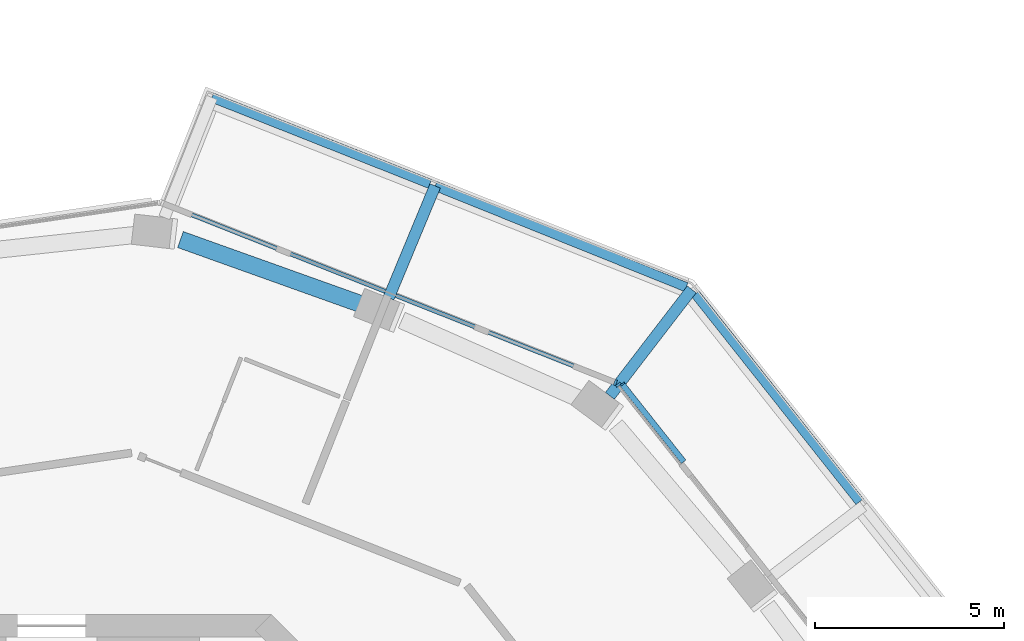
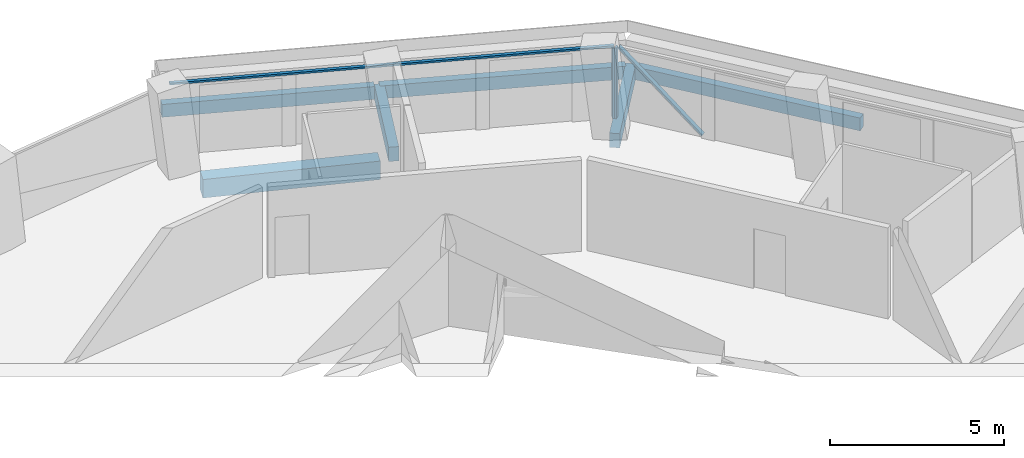
# One storey, part 9 of 21: 6 beams, 4 members, 2 elements without a shape of their own.
"""IFC4 building model written with IfcOpenShell, lengths in metres."""

from ifc_helpers import new_model, si_unit, direction, frame, origin, origin_2d, place, context, subcontext, project, spatial, rectangle, extrude, material, layer, layer_set, material_profile, profile_set, type_object, element, aggregate, save


model = new_model("IFC4")

# Units and contexts
model_context = context("Model", 3, precision=1e-05, world=origin(), true_north=direction((0.0, 1.0)))
body_context = subcontext(model_context, "Body", "Model", "MODEL_VIEW")
ifc_project = project(units=[si_unit("LENGTHUNIT", "METRE"), si_unit("AREAUNIT", "SQUARE_METRE"), si_unit("VOLUMEUNIT", "CUBIC_METRE"), si_unit("PLANEANGLEUNIT", "RADIAN"), si_unit("MASSUNIT", "GRAM", prefix="KILO")], contexts=[model_context])

# Site, building, storey
site_placement = place(None, origin())
site = spatial("IfcSite", under=ifc_project, at=site_placement, CompositionType="ELEMENT")
building_placement = place(site_placement, origin())
building = spatial("IfcBuilding", under=site, at=building_placement, Name="Verdalira Terraces Hotel", CompositionType="ELEMENT")
storey_placement = place(building_placement, frame((0.0, 0.0, 190.5)))
storey = spatial("IfcBuildingStorey", under=building, at=storey_placement, Name="L46", CompositionType="ELEMENT", Elevation=190.5)

# Beams
ifc_material_1 = material(Name="Concrete C40", Category="concrete")
ifc_material_profile_1 = material_profile(ifc_material_1, rectangle(XDim=0.300049, YDim=0.5, at=origin_2d()), Name="RC 300X500")
ifc_profile_set_1 = profile_set([ifc_material_profile_1], Name="Concrete C40")
beam_type_1 = type_object("IfcBeamType", Name="Balcony cantilever beam RC 300X500 C40", PredefinedType="BEAM", material=ifc_profile_set_1)
beam_1_placement = place(storey_placement, frame((14.733887, 19.767578, -0.560059), z_axis=(0.609587603, 0.792718711, 0.0), x_axis=(-0.792718711, 0.609587603, 0.0)))
element("IfcBeam", 1, at=beam_1_placement, inside=storey, type_object=beam_type_1, Name="Balcony cantilever beam R39-3", PredefinedType="BEAM", context=body_context, shape_type="SweptSolid", body=[
    extrude(rectangle(XDim=0.300049, YDim=0.5, at=origin_2d()), origin(), (0.0, 0.0, 1.0), 3.544922),
])
beam_2_placement = place(storey_placement, frame((8.895264, 22.353271, -0.560059), z_axis=(0.383667376, 0.923471356, 0.0), x_axis=(-0.923471356, 0.383667376, 0.0)))
element("IfcBeam", 2, at=beam_2_placement, inside=storey, type_object=beam_type_1, Name="Balcony cantilever beam R39-4", PredefinedType="BEAM", context=body_context, shape_type="SweptSolid", body=[
    extrude(rectangle(XDim=0.300049, YDim=0.5, at=origin_2d()), origin(), (0.0, 0.0, 1.0), 3.200684),
])
ifc_material_2 = material(Name="Concrete C40", Category="concrete")
ifc_material_profile_2 = material_profile(ifc_material_2, rectangle(XDim=0.25, YDim=0.449951, at=origin_2d()), Name="RC 250X450")
ifc_profile_set_2 = profile_set([ifc_material_profile_2], Name="Concrete C40")
beam_type_2 = type_object("IfcBeamType", Name="Balcony edge beam RC 250X450 C40", PredefinedType="BEAM", material=ifc_profile_set_2)
beam_3_placement = place(storey_placement, frame((21.328369, 16.974365, -0.534912), z_axis=(-0.620507913, 0.784200185, 0.0), x_axis=(-0.784200185, -0.620507913, 0.0)))
element("IfcBeam", 3, at=beam_3_placement, inside=storey, type_object=beam_type_2, Name="Balcony edge beam R39-2", PredefinedType="BEAM", context=body_context, shape_type="SweptSolid", body=[
    extrude(rectangle(XDim=0.25, YDim=0.449951, at=origin_2d()), origin(), (0.0, 0.0, 1.0), 6.990479),
])
beam_4_placement = place(storey_placement, frame((16.750244, 22.635742, -0.534912), z_axis=(-0.927384124, 0.374110527, 0.0), x_axis=(-0.374110527, -0.927384124, 0.0)))
element("IfcBeam", 4, at=beam_4_placement, inside=storey, type_object=beam_type_2, Name="Balcony edge beam R39-3", PredefinedType="BEAM", context=body_context, shape_type="SweptSolid", body=[
    extrude(rectangle(XDim=0.25, YDim=0.449951, at=origin_2d()), origin(), (0.0, 0.0, 1.0), 7.145752),
])
beam_5_placement = place(storey_placement, frame((9.983643, 25.364258, -0.534912), z_axis=(-0.929774263, 0.368130167, 0.0), x_axis=(-0.368130167, -0.929774263, 0.0)))
element("IfcBeam", 5, at=beam_5_placement, inside=storey, type_object=beam_type_2, Name="Balcony edge beam R39-4", PredefinedType="BEAM", context=body_context, shape_type="SweptSolid", body=[
    extrude(rectangle(XDim=0.25, YDim=0.449951, at=origin_2d()), origin(), (0.0, 0.0, 1.0), 6.188232),
])

# Curtain wall, member
ifc_material_3 = material(Name="Clear glass", Category="glass")
ifc_layer = layer(ifc_material_3, 0.14990234375)
ifc_layer_set = layer_set([ifc_layer], Name="CW1 curtain wall")
curtain_wall_type = type_object("IfcCurtainWallType", Name="CW1 curtain wall", PredefinedType="NOTDEFINED", material=ifc_layer_set)
curtain_wall_1_placement = place(storey_placement, origin())
curtain_wall_1 = element("IfcCurtainWall", 6, at=curtain_wall_1_placement, inside=storey, type_object=curtain_wall_type, Name="CW1 curtain wall L46 edge 39", PredefinedType="NOTDEFINED")
ifc_material_4 = material(Name="Terracotta frame", Category="masonry")
ifc_material_profile_3 = material_profile(ifc_material_4, rectangle(XDim=0.060059, YDim=0.149902, at=origin_2d()), Name="MU 60x150")
ifc_profile_set_3 = profile_set([ifc_material_profile_3], Name="Terracotta frame")
member_type_1 = type_object("IfcMemberType", Name="CW1 mullion 60x150", PredefinedType="MULLION", material=ifc_profile_set_3)
member_1_placement = place(storey_placement, frame((14.958496, 20.060303, 0.0), z_axis=(0.0, 0.0, 1.0), x_axis=(-0.62114778, 0.783693457, 0.0)))
member_1 = element("IfcMember", 7, at=member_1_placement, type_object=member_type_1, Name="CW1 mullion", PredefinedType="MULLION", context=body_context, shape_type="SweptSolid", body=[
    extrude(rectangle(XDim=0.060059, YDim=0.149902, at=origin_2d()), origin(), (0.0, 0.0, 1.0), 2.475098),
])

# Curtain wall, members
curtain_wall_2_placement = place(storey_placement, origin())
curtain_wall_2 = element("IfcCurtainWall", 8, at=curtain_wall_2_placement, inside=storey, type_object=curtain_wall_type, Name="CW1 curtain wall L46 edge 40", PredefinedType="NOTDEFINED")
member_2_placement = place(storey_placement, frame((14.880859, 20.118164, 0.0), z_axis=(0.0, 0.0, 1.0), x_axis=(-0.929776486, 0.368124553, 0.0)))
member_2 = element("IfcMember", 9, at=member_2_placement, type_object=member_type_1, Name="CW1 mullion", PredefinedType="MULLION", context=body_context, shape_type="SweptSolid", body=[
    extrude(rectangle(XDim=0.060059, YDim=0.149902, at=origin_2d()), origin(), (0.0, 0.0, 1.0), 2.475098),
])
ifc_material_5 = material(Name="Terracotta frame", Category="masonry")
ifc_material_profile_4 = material_profile(ifc_material_5, rectangle(XDim=0.110107, YDim=0.064941, at=origin_2d()), Name="TR 65x110")
ifc_profile_set_4 = profile_set([ifc_material_profile_4], Name="Terracotta frame")
member_type_2 = type_object("IfcMemberType", Name="CW1 transom 65x110", PredefinedType="USERDEFINED", material=ifc_profile_set_4)
member_3_placement = place(storey_placement, frame((14.908691, 20.107178, 2.507568), z_axis=(-0.929781956, 0.368110735, 0.0), x_axis=(-0.368110735, -0.929781956, 0.0)))
member_3 = element("IfcMember", 10, at=member_3_placement, type_object=member_type_2, Name="CW1 transom", ObjectType="TRANSOM", PredefinedType="USERDEFINED", context=body_context, shape_type="SweptSolid", body=[
    extrude(rectangle(XDim=0.110107, YDim=0.064941, at=origin_2d()), origin(), (0.0, 0.0, 1.0), 12.919678),
])
aggregate(curtain_wall_2, [member_2, member_3])

# Member
ifc_material_6 = material(Name="Terracotta frame", Category="masonry")
ifc_material_profile_5 = material_profile(ifc_material_6, rectangle(XDim=0.149902, YDim=0.060059, at=origin_2d()), Name="GB 60x150")
ifc_profile_set_5 = profile_set([ifc_material_profile_5], Name="Terracotta frame")
member_type_3 = type_object("IfcMemberType", Name="Diagonal glazing bar 60x150", PredefinedType="USERDEFINED", material=ifc_profile_set_5)
member_4_placement = place(storey_placement, frame((16.67041, 18.043701, 0.023193), z_axis=(-0.453034172, 0.571605739, 0.684124929), x_axis=(-0.783703438, -0.621135188, 0.0)))
member_4 = element("IfcMember", 11, at=member_4_placement, type_object=member_type_3, Name="Diagonal glazing bar", ObjectType="GLAZING BAR", PredefinedType="USERDEFINED", context=body_context, shape_type="SweptSolid", body=[
    extrude(rectangle(XDim=0.149902, YDim=0.060059, at=origin_2d()), origin(), (0.0, 0.0, 1.0), 3.549805),
])

aggregate(curtain_wall_1, [member_1, member_4])

# Beam
ifc_material_7 = material(Name="Concrete C50", Category="concrete")
ifc_material_profile_6 = material_profile(ifc_material_7, rectangle(XDim=0.449951, YDim=0.649902, at=origin_2d()), Name="RC 450X650")
ifc_profile_set_6 = profile_set([ifc_material_profile_6], Name="Concrete C50")
beam_type_3 = type_object("IfcBeamType", Name="Spandrel beam RC 450X650 C50", PredefinedType="SPANDREL", material=ifc_profile_set_6)
beam_6_placement = place(storey_placement, frame((8.286621, 22.144775, -0.63501), z_axis=(-0.941605589, 0.336717857, 0.0), x_axis=(-0.336717857, -0.941605589, 0.0)))
element("IfcBeam", 12, at=beam_6_placement, inside=storey, type_object=beam_type_3, Name="Spandrel beam B21", PredefinedType="SPANDREL", context=body_context, shape_type="SweptSolid", body=[
    extrude(rectangle(XDim=0.449951, YDim=0.649902, at=origin_2d()), origin(), (0.0, 0.0, 1.0), 5.189209),
])

save(model, "model.ifc")
